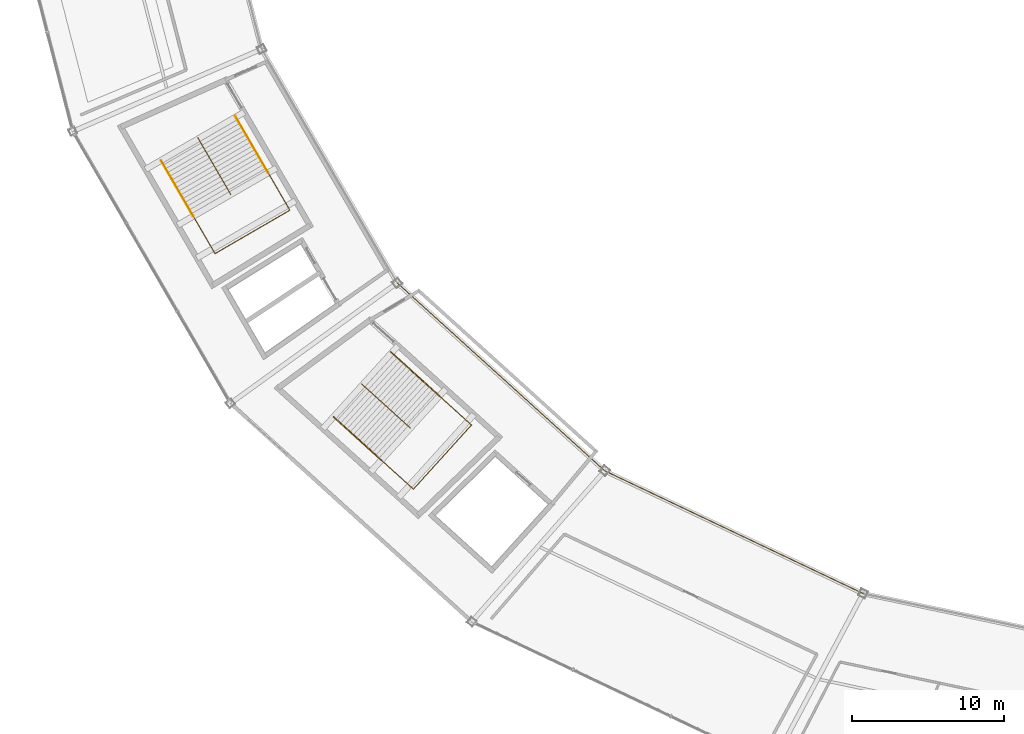
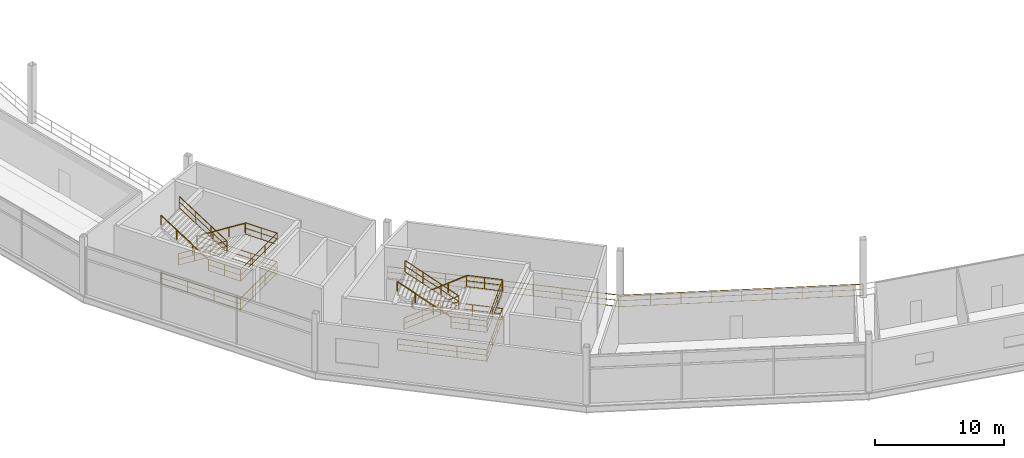
# One storey, part 97 of 103: 12 railings.
"""IFC4 building model written with IfcOpenShell, lengths in metres."""

from ifc_helpers import new_model, si_unit, direction, frame, origin, origin_2d, place, context, subcontext, project, spatial, rectangle, extrude, material, type_object, element, save


model = new_model("IFC4")

# Units and contexts
model_context = context("Model", 3, precision=1e-05, world=origin(), true_north=direction((0.0, 1.0)))
body_context = subcontext(model_context, "Body", "Model", "MODEL_VIEW")
ifc_project = project(units=[si_unit("LENGTHUNIT", "METRE"), si_unit("AREAUNIT", "SQUARE_METRE"), si_unit("VOLUMEUNIT", "CUBIC_METRE"), si_unit("PLANEANGLEUNIT", "RADIAN"), si_unit("MASSUNIT", "GRAM", prefix="KILO")], contexts=[model_context])

# Site, building, storey
site_placement = place(None, origin())
site = spatial("IfcSite", under=ifc_project, at=site_placement, CompositionType="ELEMENT")
building_placement = place(site_placement, origin())
building = spatial("IfcBuilding", under=site, at=building_placement, Name="Kazemori Nagisa Stadium", CompositionType="ELEMENT")
storey_placement = place(building_placement, frame((0.0, 0.0, 25.840087890625)))
storey = spatial("IfcBuildingStorey", under=building, at=storey_placement, Name="L05", CompositionType="ELEMENT", Elevation=25.840087890625)

# Railings
ifc_material_1 = material(Name="Laminated safety glass and stainless steel SUS304", Category="steel")
railing_type_1 = type_object("IfcRailingType", Name="Rail_BAL", PredefinedType="BALUSTRADE", material=ifc_material_1)
railing_1_placement = place(storey_placement, frame((55.493896484375, 53.265869140625, 0.0)))
element("IfcRailing", 1, at=railing_1_placement, inside=storey, type_object=railing_type_1, Name="Upper concourse balustrade L05-B18", PredefinedType="BALUSTRADE", context=body_context, shape_type="SweptSolid", body=[
    extrude(rectangle(XDim=0.050048828125, YDim=0.050048828125, at=origin_2d()), frame((0.0, 0.0, 1.09521484375), z_axis=(0.741349142139, -0.671119549298, 0.0), x_axis=(0.671119549298, 0.741349142139, 0.0)), (0.0, 0.0, 1.0), 18.44189453125),
    extrude(rectangle(XDim=0.03759765625, YDim=0.03759765625, at=origin_2d()), frame((0.0, 0.0, 0.58251953125), z_axis=(0.741349142139, -0.671119549298, 0.0), x_axis=(0.671119549298, 0.741349142139, 0.0)), (0.0, 0.0, 1.0), 18.44189453125),
    extrude(rectangle(XDim=0.03759765625, YDim=0.03759765625, at=origin_2d()), frame((0.0, 0.0, 0.02490234375), z_axis=(0.741349142139, -0.671119549298, 0.0), x_axis=(0.671119549298, 0.741349142139, 0.0)), (0.0, 0.0, 1.0), 18.44189453125),
    extrude(rectangle(XDim=0.044921875, YDim=0.044921875, at=origin_2d()), origin(), (0.0, 0.0, 1.0), 1.070068359375),
    extrude(rectangle(XDim=0.044921875, YDim=0.044921875, at=origin_2d()), frame((1.708984375, -1.547119140625, 0.0)), (0.0, 0.0, 1.0), 1.070068359375),
    extrude(rectangle(XDim=0.044921875, YDim=0.044921875, at=origin_2d()), frame((3.41796875, -3.09423828125, 0.0)), (0.0, 0.0, 1.0), 1.070068359375),
    extrude(rectangle(XDim=0.044921875, YDim=0.044921875, at=origin_2d()), frame((5.126953125, -4.641357421875, 0.0)), (0.0, 0.0, 1.0), 1.070068359375),
    extrude(rectangle(XDim=0.044921875, YDim=0.044921875, at=origin_2d()), frame((6.8359375, -6.1884765625, 0.0)), (0.0, 0.0, 1.0), 1.070068359375),
    extrude(rectangle(XDim=0.044921875, YDim=0.044921875, at=origin_2d()), frame((8.544921875, -7.7353515625, 0.0)), (0.0, 0.0, 1.0), 1.070068359375),
    extrude(rectangle(XDim=0.044921875, YDim=0.044921875, at=origin_2d()), frame((10.25390625, -9.282470703125, 0.0)), (0.0, 0.0, 1.0), 1.070068359375),
    extrude(rectangle(XDim=0.044921875, YDim=0.044921875, at=origin_2d()), frame((11.962890625, -10.82958984375, 0.0)), (0.0, 0.0, 1.0), 1.070068359375),
    extrude(rectangle(XDim=0.044921875, YDim=0.044921875, at=origin_2d()), frame((13.671875, -12.376708984375, 0.0)), (0.0, 0.0, 1.0), 1.070068359375),
])
railing_2_placement = place(storey_placement, frame((69.165771484375, 40.88916015625, 0.0)))
element("IfcRailing", 2, at=railing_2_placement, inside=storey, type_object=railing_type_1, Name="Upper concourse balustrade L05-B19", PredefinedType="BALUSTRADE", context=body_context, shape_type="SweptSolid", body=[
    extrude(rectangle(XDim=0.050048828125, YDim=0.050048828125, at=origin_2d()), frame((0.0, 0.0, 1.09521484375), z_axis=(0.90321938295, -0.42917915404, 0.0), x_axis=(0.42917915404, 0.90321938295, 0.0)), (0.0, 0.0, 1.0), 18.84619140625),
    extrude(rectangle(XDim=0.03759765625, YDim=0.03759765625, at=origin_2d()), frame((0.0, 0.0, 0.58251953125), z_axis=(0.90321938295, -0.42917915404, 0.0), x_axis=(0.42917915404, 0.90321938295, 0.0)), (0.0, 0.0, 1.0), 18.84619140625),
    extrude(rectangle(XDim=0.03759765625, YDim=0.03759765625, at=origin_2d()), frame((0.0, 0.0, 0.02490234375), z_axis=(0.90321938295, -0.42917915404, 0.0), x_axis=(0.42917915404, 0.90321938295, 0.0)), (0.0, 0.0, 1.0), 18.84619140625),
    extrude(rectangle(XDim=0.044921875, YDim=0.044921875, at=origin_2d()), origin(), (0.0, 0.0, 1.0), 1.070068359375),
    extrude(rectangle(XDim=0.044921875, YDim=0.044921875, at=origin_2d()), frame((2.127685546875, -1.010986328125, 0.0)), (0.0, 0.0, 1.0), 1.070068359375),
    extrude(rectangle(XDim=0.044921875, YDim=0.044921875, at=origin_2d()), frame((4.255615234375, -2.02197265625, 0.0)), (0.0, 0.0, 1.0), 1.070068359375),
    extrude(rectangle(XDim=0.044921875, YDim=0.044921875, at=origin_2d()), frame((6.38330078125, -3.033203125, 0.0)), (0.0, 0.0, 1.0), 1.070068359375),
    extrude(rectangle(XDim=0.044921875, YDim=0.044921875, at=origin_2d()), frame((8.51123046875, -4.044189453125, 0.0)), (0.0, 0.0, 1.0), 1.070068359375),
    extrude(rectangle(XDim=0.044921875, YDim=0.044921875, at=origin_2d()), frame((10.638916015625, -5.05517578125, 0.0)), (0.0, 0.0, 1.0), 1.070068359375),
    extrude(rectangle(XDim=0.044921875, YDim=0.044921875, at=origin_2d()), frame((12.7666015625, -6.06640625, 0.0)), (0.0, 0.0, 1.0), 1.070068359375),
    extrude(rectangle(XDim=0.044921875, YDim=0.044921875, at=origin_2d()), frame((14.89453125, -7.077392578125, 0.0)), (0.0, 0.0, 1.0), 1.070068359375),
    extrude(rectangle(XDim=0.044921875, YDim=0.044921875, at=origin_2d()), frame((17.022216796875, -8.08837890625, 0.0)), (0.0, 0.0, 1.0), 1.070068359375),
])
ifc_material_2 = material(Name="Galvanised powder-coated steel", Category="steel")
railing_type_2 = type_object("IfcRailingType", Name="Rail_GUARD", PredefinedType="GUARDRAIL", material=ifc_material_2)
railing_3_placement = place(storey_placement, frame((44.858642578125, 64.196044921875, 0.0)))
element("IfcRailing", 3, at=railing_3_placement, inside=storey, type_object=railing_type_2, Name="Stair well perimeter guard ST09-L05", PredefinedType="GUARDRAIL", context=body_context, shape_type="SweptSolid", body=[
    extrude(rectangle(XDim=0.050048828125, YDim=0.050048828125, at=origin_2d()), frame((0.0, 0.0, 1.09521484375), z_axis=(0.501595007813, -0.865102565097, 0.0), x_axis=(0.865102565097, 0.501595007813, 0.0)), (0.0, 0.0, 1.0), 7.094970703125),
    extrude(rectangle(XDim=0.03759765625, YDim=0.03759765625, at=origin_2d()), frame((0.0, 0.0, 0.58251953125), z_axis=(0.501595007813, -0.865102565097, 0.0), x_axis=(0.865102565097, 0.501595007813, 0.0)), (0.0, 0.0, 1.0), 7.094970703125),
    extrude(rectangle(XDim=0.03759765625, YDim=0.03759765625, at=origin_2d()), frame((0.0, 0.0, 0.02490234375), z_axis=(0.501595007813, -0.865102565097, 0.0), x_axis=(0.865102565097, 0.501595007813, 0.0)), (0.0, 0.0, 1.0), 7.094970703125),
    extrude(rectangle(XDim=0.050048828125, YDim=0.050048828125, at=origin_2d()), frame((3.558837890625, -6.137939453125, 1.09521484375), z_axis=(-0.865091784601, -0.501613600508, 0.0), x_axis=(0.501613600508, -0.865091784601, 0.0)), (0.0, 0.0, 1.0), 5.699951171875),
    extrude(rectangle(XDim=0.03759765625, YDim=0.03759765625, at=origin_2d()), frame((3.558837890625, -6.137939453125, 0.58251953125), z_axis=(-0.865091784601, -0.501613600508, 0.0), x_axis=(0.501613600508, -0.865091784601, 0.0)), (0.0, 0.0, 1.0), 5.699951171875),
    extrude(rectangle(XDim=0.03759765625, YDim=0.03759765625, at=origin_2d()), frame((3.558837890625, -6.137939453125, 0.02490234375), z_axis=(-0.865091784601, -0.501613600508, 0.0), x_axis=(0.501613600508, -0.865091784601, 0.0)), (0.0, 0.0, 1.0), 5.699951171875),
    extrude(rectangle(XDim=0.050048828125, YDim=0.050048828125, at=origin_2d()), frame((-1.3720703125, -8.9970703125, 1.09521484375), z_axis=(-0.501635691901, 0.865078974783, 0.0), x_axis=(-0.865078974783, -0.501635691901, 0.0)), (0.0, 0.0, 1.0), 7.094970703125),
    extrude(rectangle(XDim=0.03759765625, YDim=0.03759765625, at=origin_2d()), frame((-1.3720703125, -8.9970703125, 0.58251953125), z_axis=(-0.501635691901, 0.865078974783, 0.0), x_axis=(-0.865078974783, -0.501635691901, 0.0)), (0.0, 0.0, 1.0), 7.094970703125),
    extrude(rectangle(XDim=0.03759765625, YDim=0.03759765625, at=origin_2d()), frame((-1.3720703125, -8.9970703125, 0.02490234375), z_axis=(-0.501635691901, 0.865078974783, 0.0), x_axis=(-0.865078974783, -0.501635691901, 0.0)), (0.0, 0.0, 1.0), 7.094970703125),
    extrude(rectangle(XDim=0.044921875, YDim=0.044921875, at=origin_2d()), origin(), (0.0, 0.0, 1.0), 1.070068359375),
    extrude(rectangle(XDim=0.044921875, YDim=0.044921875, at=origin_2d()), frame((1.186279296875, -2.0458984375, 0.0)), (0.0, 0.0, 1.0), 1.070068359375),
    extrude(rectangle(XDim=0.044921875, YDim=0.044921875, at=origin_2d()), frame((2.37255859375, -4.092041015625, 0.0)), (0.0, 0.0, 1.0), 1.070068359375),
    extrude(rectangle(XDim=0.044921875, YDim=0.044921875, at=origin_2d()), frame((3.558837890625, -6.137939453125, 0.0)), (0.0, 0.0, 1.0), 1.070068359375),
    extrude(rectangle(XDim=0.044921875, YDim=0.044921875, at=origin_2d()), frame((1.915283203125, -7.091064453125, 0.0)), (0.0, 0.0, 1.0), 1.070068359375),
    extrude(rectangle(XDim=0.044921875, YDim=0.044921875, at=origin_2d()), frame((0.271484375, -8.0439453125, 0.0)), (0.0, 0.0, 1.0), 1.070068359375),
    extrude(rectangle(XDim=0.044921875, YDim=0.044921875, at=origin_2d()), frame((-1.3720703125, -8.9970703125, 0.0)), (0.0, 0.0, 1.0), 1.070068359375),
    extrude(rectangle(XDim=0.044921875, YDim=0.044921875, at=origin_2d()), frame((-2.558349609375, -6.951171875, 0.0)), (0.0, 0.0, 1.0), 1.070068359375),
    extrude(rectangle(XDim=0.044921875, YDim=0.044921875, at=origin_2d()), frame((-3.744873046875, -4.9052734375, 0.0)), (0.0, 0.0, 1.0), 1.070068359375),
    extrude(rectangle(XDim=0.044921875, YDim=0.044921875, at=origin_2d()), frame((-4.93115234375, -2.859375, 0.0)), (0.0, 0.0, 1.0), 1.070068359375),
])
railing_4_placement = place(storey_placement, frame((42.35302734375, 62.835693359375, 0.0)))
element("IfcRailing", 4, at=railing_4_placement, inside=storey, type_object=railing_type_2, Name="Stair central guard ST09-L05", PredefinedType="GUARDRAIL", context=body_context, shape_type="SweptSolid", body=[
    extrude(rectangle(XDim=0.050048828125, YDim=0.050048828125, at=origin_2d()), frame((0.0, 0.0, 1.09521484375), z_axis=(0.424604455669, -0.732330394732, 0.532356317872), x_axis=(0.865106633618, 0.501587990756, 0.0)), (0.0, 0.0, 1.0), 5.109375),
    extrude(rectangle(XDim=0.03759765625, YDim=0.03759765625, at=origin_2d()), frame((0.0, 0.0, 0.58251953125), z_axis=(0.424604455669, -0.732330394732, 0.532356317872), x_axis=(0.865106633618, 0.501587990756, 0.0)), (0.0, 0.0, 1.0), 5.109375),
    extrude(rectangle(XDim=0.03759765625, YDim=0.03759765625, at=origin_2d()), frame((0.0, 0.0, 0.02490234375), z_axis=(0.424604455669, -0.732330394732, 0.532356317872), x_axis=(0.865106633618, 0.501587990756, 0.0)), (0.0, 0.0, 1.0), 5.109375),
    extrude(rectangle(XDim=0.050048828125, YDim=0.050048828125, at=origin_2d()), frame((2.16943359375, -3.74169921875, 3.81494140625), z_axis=(-0.42235583137, 0.728396745639, 0.53949395979), x_axis=(-0.865090089266, -0.501616524304, 0.0)), (0.0, 0.0, 1.0), 5.041748046875),
    extrude(rectangle(XDim=0.03759765625, YDim=0.03759765625, at=origin_2d()), frame((2.16943359375, -3.74169921875, 3.302490234375), z_axis=(-0.42235583137, 0.728396745639, 0.53949395979), x_axis=(-0.865090089266, -0.501616524304, 0.0)), (0.0, 0.0, 1.0), 5.041748046875),
    extrude(rectangle(XDim=0.03759765625, YDim=0.03759765625, at=origin_2d()), frame((2.16943359375, -3.74169921875, 2.7451171875), z_axis=(-0.42235583137, 0.728396745639, 0.53949395979), x_axis=(-0.865090089266, -0.501616524304, 0.0)), (0.0, 0.0, 1.0), 5.041748046875),
    extrude(rectangle(XDim=0.044921875, YDim=0.044921875, at=origin_2d()), origin(), (0.0, 0.0, 1.0), 1.070068359375),
    extrude(rectangle(XDim=0.044921875, YDim=0.044921875, at=origin_2d()), frame((0.72314453125, -1.247314453125, 0.90673828125)), (0.0, 0.0, 1.0), 1.070068359375),
    extrude(rectangle(XDim=0.044921875, YDim=0.044921875, at=origin_2d()), frame((1.4462890625, -2.494384765625, 1.813232421875)), (0.0, 0.0, 1.0), 1.070068359375),
    extrude(rectangle(XDim=0.044921875, YDim=0.044921875, at=origin_2d()), frame((2.16943359375, -3.74169921875, 2.719970703125)), (0.0, 0.0, 1.0), 1.070068359375),
    extrude(rectangle(XDim=0.044921875, YDim=0.044921875, at=origin_2d()), frame((1.459716796875, -2.517578125, 3.626708984375)), (0.0, 0.0, 1.0), 1.070068359375),
    extrude(rectangle(XDim=0.044921875, YDim=0.044921875, at=origin_2d()), frame((0.749755859375, -1.29345703125, 4.533203125)), (0.0, 0.0, 1.0), 1.070068359375),
    extrude(rectangle(XDim=0.044921875, YDim=0.044921875, at=origin_2d()), frame((0.0400390625, -0.0693359375, 5.43994140625)), (0.0, 0.0, 1.0), 1.070068359375),
])
railing_5_placement = place(storey_placement, frame((46.988037109375, 60.523681640625, 2.719970703125)))
element("IfcRailing", 5, at=railing_5_placement, inside=storey, type_object=railing_type_2, Name="Stair landing guard ST09-L05", PredefinedType="GUARDRAIL", context=body_context, shape_type="SweptSolid", body=[
    extrude(rectangle(XDim=0.050048828125, YDim=0.050048828125, at=origin_2d()), frame((0.0, 0.0, 1.09521484375), z_axis=(0.501562958255, -0.865121146954, 0.0), x_axis=(0.865121146954, 0.501562958255, 0.0)), (0.0, 0.0, 1.0), 2.85009765625),
    extrude(rectangle(XDim=0.03759765625, YDim=0.03759765625, at=origin_2d()), frame((0.0, 0.0, 0.58251953125), z_axis=(0.501562958255, -0.865121146954, 0.0), x_axis=(0.865121146954, 0.501562958255, 0.0)), (0.0, 0.0, 1.0), 2.85009765625),
    extrude(rectangle(XDim=0.03759765625, YDim=0.03759765625, at=origin_2d()), frame((0.0, 0.0, 0.02490234375), z_axis=(0.501562958255, -0.865121146954, 0.0), x_axis=(0.865121146954, 0.501562958255, 0.0)), (0.0, 0.0, 1.0), 2.85009765625),
    extrude(rectangle(XDim=0.050048828125, YDim=0.050048828125, at=origin_2d()), frame((1.429443359375, -2.465576171875, 1.09521484375), z_axis=(-0.865091784601, -0.501613600508, 0.0), x_axis=(0.501613600508, -0.865091784601, 0.0)), (0.0, 0.0, 1.0), 5.699951171875),
    extrude(rectangle(XDim=0.03759765625, YDim=0.03759765625, at=origin_2d()), frame((1.429443359375, -2.465576171875, 0.58251953125), z_axis=(-0.865091784601, -0.501613600508, 0.0), x_axis=(0.501613600508, -0.865091784601, 0.0)), (0.0, 0.0, 1.0), 5.699951171875),
    extrude(rectangle(XDim=0.03759765625, YDim=0.03759765625, at=origin_2d()), frame((1.429443359375, -2.465576171875, 0.02490234375), z_axis=(-0.865091784601, -0.501613600508, 0.0), x_axis=(0.501613600508, -0.865091784601, 0.0)), (0.0, 0.0, 1.0), 5.699951171875),
    extrude(rectangle(XDim=0.050048828125, YDim=0.050048828125, at=origin_2d()), frame((-3.50146484375, -5.32470703125, 1.09521484375), z_axis=(-0.501627068055, 0.865083975458, 0.0), x_axis=(-0.865083975458, -0.501627068055, 0.0)), (0.0, 0.0, 1.0), 2.85009765625),
    extrude(rectangle(XDim=0.03759765625, YDim=0.03759765625, at=origin_2d()), frame((-3.50146484375, -5.32470703125, 0.58251953125), z_axis=(-0.501627068055, 0.865083975458, 0.0), x_axis=(-0.865083975458, -0.501627068055, 0.0)), (0.0, 0.0, 1.0), 2.85009765625),
    extrude(rectangle(XDim=0.03759765625, YDim=0.03759765625, at=origin_2d()), frame((-3.50146484375, -5.32470703125, 0.02490234375), z_axis=(-0.501627068055, 0.865083975458, 0.0), x_axis=(-0.865083975458, -0.501627068055, 0.0)), (0.0, 0.0, 1.0), 2.85009765625),
    extrude(rectangle(XDim=0.044921875, YDim=0.044921875, at=origin_2d()), origin(), (0.0, 0.0, 1.0), 1.070068359375),
    extrude(rectangle(XDim=0.044921875, YDim=0.044921875, at=origin_2d()), frame((0.71484375, -1.23291015625, 0.0)), (0.0, 0.0, 1.0), 1.070068359375),
    extrude(rectangle(XDim=0.044921875, YDim=0.044921875, at=origin_2d()), frame((1.429443359375, -2.465576171875, 0.0)), (0.0, 0.0, 1.0), 1.070068359375),
    extrude(rectangle(XDim=0.044921875, YDim=0.044921875, at=origin_2d()), frame((-0.214111328125, -3.418701171875, 0.0)), (0.0, 0.0, 1.0), 1.070068359375),
    extrude(rectangle(XDim=0.044921875, YDim=0.044921875, at=origin_2d()), frame((-1.85791015625, -4.37158203125, 0.0)), (0.0, 0.0, 1.0), 1.070068359375),
    extrude(rectangle(XDim=0.044921875, YDim=0.044921875, at=origin_2d()), frame((-3.50146484375, -5.32470703125, 0.0)), (0.0, 0.0, 1.0), 1.070068359375),
    extrude(rectangle(XDim=0.044921875, YDim=0.044921875, at=origin_2d()), frame((-4.21630859375, -4.091796875, 0.0)), (0.0, 0.0, 1.0), 1.070068359375),
    extrude(rectangle(XDim=0.044921875, YDim=0.044921875, at=origin_2d()), frame((-4.93115234375, -2.859130859375, 0.0)), (0.0, 0.0, 1.0), 1.070068359375),
])
railing_6_placement = place(storey_placement, frame((55.12353515625, 48.665771484375, 0.0)))
element("IfcRailing", 6, at=railing_6_placement, inside=storey, type_object=railing_type_2, Name="Stair well perimeter guard ST03-L05", PredefinedType="GUARDRAIL", context=body_context, shape_type="SweptSolid", body=[
    extrude(rectangle(XDim=0.050048828125, YDim=0.050048828125, at=origin_2d()), frame((0.0, 0.0, 1.09521484375), z_axis=(0.741349073354, -0.671119625281, 0.0), x_axis=(0.671119625281, 0.741349073354, 0.0)), (0.0, 0.0, 1.0), 7.09521484375),
    extrude(rectangle(XDim=0.03759765625, YDim=0.03759765625, at=origin_2d()), frame((0.0, 0.0, 0.58251953125), z_axis=(0.741349073354, -0.671119625281, 0.0), x_axis=(0.671119625281, 0.741349073354, 0.0)), (0.0, 0.0, 1.0), 7.09521484375),
    extrude(rectangle(XDim=0.03759765625, YDim=0.03759765625, at=origin_2d()), frame((0.0, 0.0, 0.02490234375), z_axis=(0.741349073354, -0.671119625281, 0.0), x_axis=(0.671119625281, 0.741349073354, 0.0)), (0.0, 0.0, 1.0), 7.09521484375),
    extrude(rectangle(XDim=0.050048828125, YDim=0.050048828125, at=origin_2d()), frame((5.260009765625, -4.76171875, 1.09521484375), z_axis=(-0.67113423669, -0.74133584585, 0.0), x_axis=(0.74133584585, -0.67113423669, 0.0)), (0.0, 0.0, 1.0), 5.699951171875),
    extrude(rectangle(XDim=0.03759765625, YDim=0.03759765625, at=origin_2d()), frame((5.260009765625, -4.76171875, 0.58251953125), z_axis=(-0.67113423669, -0.74133584585, 0.0), x_axis=(0.74133584585, -0.67113423669, 0.0)), (0.0, 0.0, 1.0), 5.699951171875),
    extrude(rectangle(XDim=0.03759765625, YDim=0.03759765625, at=origin_2d()), frame((5.260009765625, -4.76171875, 0.02490234375), z_axis=(-0.67113423669, -0.74133584585, 0.0), x_axis=(0.74133584585, -0.67113423669, 0.0)), (0.0, 0.0, 1.0), 5.699951171875),
    extrude(rectangle(XDim=0.050048828125, YDim=0.050048828125, at=origin_2d()), frame((1.4345703125, -8.9873046875, 1.09521484375), z_axis=(-0.741350695223, 0.671117833686, 0.0), x_axis=(-0.671117833686, -0.741350695223, 0.0)), (0.0, 0.0, 1.0), 7.0947265625),
    extrude(rectangle(XDim=0.03759765625, YDim=0.03759765625, at=origin_2d()), frame((1.4345703125, -8.9873046875, 0.58251953125), z_axis=(-0.741350695223, 0.671117833686, 0.0), x_axis=(-0.671117833686, -0.741350695223, 0.0)), (0.0, 0.0, 1.0), 7.0947265625),
    extrude(rectangle(XDim=0.03759765625, YDim=0.03759765625, at=origin_2d()), frame((1.4345703125, -8.9873046875, 0.02490234375), z_axis=(-0.741350695223, 0.671117833686, 0.0), x_axis=(-0.671117833686, -0.741350695223, 0.0)), (0.0, 0.0, 1.0), 7.0947265625),
    extrude(rectangle(XDim=0.044921875, YDim=0.044921875, at=origin_2d()), origin(), (0.0, 0.0, 1.0), 1.070068359375),
    extrude(rectangle(XDim=0.044921875, YDim=0.044921875, at=origin_2d()), frame((1.75341796875, -1.587158203125, 0.0)), (0.0, 0.0, 1.0), 1.070068359375),
    extrude(rectangle(XDim=0.044921875, YDim=0.044921875, at=origin_2d()), frame((3.506591796875, -3.174560546875, 0.0)), (0.0, 0.0, 1.0), 1.070068359375),
    extrude(rectangle(XDim=0.044921875, YDim=0.044921875, at=origin_2d()), frame((5.260009765625, -4.76171875, 0.0)), (0.0, 0.0, 1.0), 1.070068359375),
    extrude(rectangle(XDim=0.044921875, YDim=0.044921875, at=origin_2d()), frame((3.98486328125, -6.170166015625, 0.0)), (0.0, 0.0, 1.0), 1.070068359375),
    extrude(rectangle(XDim=0.044921875, YDim=0.044921875, at=origin_2d()), frame((2.709716796875, -7.578857421875, 0.0)), (0.0, 0.0, 1.0), 1.070068359375),
    extrude(rectangle(XDim=0.044921875, YDim=0.044921875, at=origin_2d()), frame((1.4345703125, -8.9873046875, 0.0)), (0.0, 0.0, 1.0), 1.070068359375),
    extrude(rectangle(XDim=0.044921875, YDim=0.044921875, at=origin_2d()), frame((-0.318603515625, -7.400146484375, 0.0)), (0.0, 0.0, 1.0), 1.070068359375),
    extrude(rectangle(XDim=0.044921875, YDim=0.044921875, at=origin_2d()), frame((-2.072021484375, -5.81298828125, 0.0)), (0.0, 0.0, 1.0), 1.070068359375),
    extrude(rectangle(XDim=0.044921875, YDim=0.044921875, at=origin_2d()), frame((-3.8251953125, -4.225830078125, 0.0)), (0.0, 0.0, 1.0), 1.070068359375),
])
railing_7_placement = place(storey_placement, frame((53.151611328125, 46.606689453125, 0.0)))
element("IfcRailing", 7, at=railing_7_placement, inside=storey, type_object=railing_type_2, Name="Stair central guard ST03-L05", PredefinedType="GUARDRAIL", context=body_context, shape_type="SweptSolid", body=[
    extrude(rectangle(XDim=0.050048828125, YDim=0.050048828125, at=origin_2d()), frame((0.0, 0.0, 1.09521484375), z_axis=(0.627557777508, -0.568113486393, 0.532370456043), x_axis=(0.67112318634, 0.741345849626, 0.0)), (0.0, 0.0, 1.0), 5.109130859375),
    extrude(rectangle(XDim=0.03759765625, YDim=0.03759765625, at=origin_2d()), frame((0.0, 0.0, 0.58251953125), z_axis=(0.627557777508, -0.568113486393, 0.532370456043), x_axis=(0.67112318634, 0.741345849626, 0.0)), (0.0, 0.0, 1.0), 5.109130859375),
    extrude(rectangle(XDim=0.03759765625, YDim=0.03759765625, at=origin_2d()), frame((0.0, 0.0, 0.02490234375), z_axis=(0.627557777508, -0.568113486393, 0.532370456043), x_axis=(0.67112318634, 0.741345849626, 0.0)), (0.0, 0.0, 1.0), 5.109130859375),
    extrude(rectangle(XDim=0.050048828125, YDim=0.050048828125, at=origin_2d()), frame((3.206298828125, -2.902587890625, 3.81494140625), z_axis=(-0.624200602078, 0.565073454279, 0.539504957933), x_axis=(-0.671122625547, -0.741346357298, 0.0)), (0.0, 0.0, 1.0), 5.04150390625),
    extrude(rectangle(XDim=0.03759765625, YDim=0.03759765625, at=origin_2d()), frame((3.206298828125, -2.902587890625, 3.302490234375), z_axis=(-0.624200602078, 0.565073454279, 0.539504957933), x_axis=(-0.671122625547, -0.741346357298, 0.0)), (0.0, 0.0, 1.0), 5.04150390625),
    extrude(rectangle(XDim=0.03759765625, YDim=0.03759765625, at=origin_2d()), frame((3.206298828125, -2.902587890625, 2.7451171875), z_axis=(-0.624200602078, 0.565073454279, 0.539504957933), x_axis=(-0.671122625547, -0.741346357298, 0.0)), (0.0, 0.0, 1.0), 5.04150390625),
    extrude(rectangle(XDim=0.044921875, YDim=0.044921875, at=origin_2d()), origin(), (0.0, 0.0, 1.0), 1.070068359375),
    extrude(rectangle(XDim=0.044921875, YDim=0.044921875, at=origin_2d()), frame((1.06884765625, -0.967529296875, 0.90673828125)), (0.0, 0.0, 1.0), 1.070068359375),
    extrude(rectangle(XDim=0.044921875, YDim=0.044921875, at=origin_2d()), frame((2.137451171875, -1.93505859375, 1.813232421875)), (0.0, 0.0, 1.0), 1.070068359375),
    extrude(rectangle(XDim=0.044921875, YDim=0.044921875, at=origin_2d()), frame((3.206298828125, -2.902587890625, 2.719970703125)), (0.0, 0.0, 1.0), 1.070068359375),
    extrude(rectangle(XDim=0.044921875, YDim=0.044921875, at=origin_2d()), frame((2.1572265625, -1.952880859375, 3.626708984375)), (0.0, 0.0, 1.0), 1.070068359375),
    extrude(rectangle(XDim=0.044921875, YDim=0.044921875, at=origin_2d()), frame((1.1083984375, -1.00341796875, 4.533203125)), (0.0, 0.0, 1.0), 1.070068359375),
    extrude(rectangle(XDim=0.044921875, YDim=0.044921875, at=origin_2d()), frame((0.059326171875, -0.0537109375, 5.43994140625)), (0.0, 0.0, 1.0), 1.070068359375),
])
railing_8_placement = place(storey_placement, frame((58.270751953125, 45.81689453125, 2.719970703125)))
element("IfcRailing", 8, at=railing_8_placement, inside=storey, type_object=railing_type_2, Name="Stair landing guard ST03-L05", PredefinedType="GUARDRAIL", context=body_context, shape_type="SweptSolid", body=[
    extrude(rectangle(XDim=0.050048828125, YDim=0.050048828125, at=origin_2d()), frame((0.0, 0.0, 1.09521484375), z_axis=(0.741314535645, -0.671157775223, 0.0), x_axis=(0.671157775223, 0.741314535645, 0.0)), (0.0, 0.0, 1.0), 2.85009765625),
    extrude(rectangle(XDim=0.03759765625, YDim=0.03759765625, at=origin_2d()), frame((0.0, 0.0, 0.58251953125), z_axis=(0.741314535645, -0.671157775223, 0.0), x_axis=(0.671157775223, 0.741314535645, 0.0)), (0.0, 0.0, 1.0), 2.85009765625),
    extrude(rectangle(XDim=0.03759765625, YDim=0.03759765625, at=origin_2d()), frame((0.0, 0.0, 0.02490234375), z_axis=(0.741314535645, -0.671157775223, 0.0), x_axis=(0.671157775223, 0.741314535645, 0.0)), (0.0, 0.0, 1.0), 2.85009765625),
    extrude(rectangle(XDim=0.050048828125, YDim=0.050048828125, at=origin_2d()), frame((2.11279296875, -1.912841796875, 1.09521484375), z_axis=(-0.67113423669, -0.74133584585, 0.0), x_axis=(0.74133584585, -0.67113423669, 0.0)), (0.0, 0.0, 1.0), 5.699951171875),
    extrude(rectangle(XDim=0.03759765625, YDim=0.03759765625, at=origin_2d()), frame((2.11279296875, -1.912841796875, 0.58251953125), z_axis=(-0.67113423669, -0.74133584585, 0.0), x_axis=(0.74133584585, -0.67113423669, 0.0)), (0.0, 0.0, 1.0), 5.699951171875),
    extrude(rectangle(XDim=0.03759765625, YDim=0.03759765625, at=origin_2d()), frame((2.11279296875, -1.912841796875, 0.02490234375), z_axis=(-0.67113423669, -0.74133584585, 0.0), x_axis=(0.74133584585, -0.67113423669, 0.0)), (0.0, 0.0, 1.0), 5.699951171875),
    extrude(rectangle(XDim=0.050048828125, YDim=0.050048828125, at=origin_2d()), frame((-1.712646484375, -6.138427734375, 1.09521484375), z_axis=(-0.741357156534, 0.671110696127, 0.0), x_axis=(-0.671110696127, -0.741357156534, 0.0)), (0.0, 0.0, 1.0), 2.849853515625),
    extrude(rectangle(XDim=0.03759765625, YDim=0.03759765625, at=origin_2d()), frame((-1.712646484375, -6.138427734375, 0.58251953125), z_axis=(-0.741357156534, 0.671110696127, 0.0), x_axis=(-0.671110696127, -0.741357156534, 0.0)), (0.0, 0.0, 1.0), 2.849853515625),
    extrude(rectangle(XDim=0.03759765625, YDim=0.03759765625, at=origin_2d()), frame((-1.712646484375, -6.138427734375, 0.02490234375), z_axis=(-0.741357156534, 0.671110696127, 0.0), x_axis=(-0.671110696127, -0.741357156534, 0.0)), (0.0, 0.0, 1.0), 2.849853515625),
    extrude(rectangle(XDim=0.044921875, YDim=0.044921875, at=origin_2d()), origin(), (0.0, 0.0, 1.0), 1.070068359375),
    extrude(rectangle(XDim=0.044921875, YDim=0.044921875, at=origin_2d()), frame((1.056396484375, -0.95654296875, 0.0)), (0.0, 0.0, 1.0), 1.070068359375),
    extrude(rectangle(XDim=0.044921875, YDim=0.044921875, at=origin_2d()), frame((2.11279296875, -1.912841796875, 0.0)), (0.0, 0.0, 1.0), 1.070068359375),
    extrude(rectangle(XDim=0.044921875, YDim=0.044921875, at=origin_2d()), frame((0.837646484375, -3.3212890625, 0.0)), (0.0, 0.0, 1.0), 1.070068359375),
    extrude(rectangle(XDim=0.044921875, YDim=0.044921875, at=origin_2d()), frame((-0.4375, -4.72998046875, 0.0)), (0.0, 0.0, 1.0), 1.070068359375),
    extrude(rectangle(XDim=0.044921875, YDim=0.044921875, at=origin_2d()), frame((-1.712646484375, -6.138427734375, 0.0)), (0.0, 0.0, 1.0), 1.070068359375),
    extrude(rectangle(XDim=0.044921875, YDim=0.044921875, at=origin_2d()), frame((-2.76904296875, -5.18212890625, 0.0)), (0.0, 0.0, 1.0), 1.070068359375),
    extrude(rectangle(XDim=0.044921875, YDim=0.044921875, at=origin_2d()), frame((-3.825439453125, -4.225830078125, 0.0)), (0.0, 0.0, 1.0), 1.070068359375),
])
ifc_material_3 = material(Name="Stainless steel SUS304", Category="steel")
railing_type_3 = type_object("IfcRailingType", Name="Rail_HAND", PredefinedType="HANDRAIL", material=ifc_material_3)
railing_9_placement = place(storey_placement, frame((44.818359375, 64.26513671875, 0.169921875)))
element("IfcRailing", 9, at=railing_9_placement, inside=storey, type_object=railing_type_3, Name="Stair handrail ST09-L05-F1", PredefinedType="HANDRAIL", context=body_context, shape_type="SweptSolid", body=[
    extrude(rectangle(XDim=0.050048828125, YDim=0.050048828125, at=origin_2d()), frame((0.0, 0.0, 0.875), z_axis=(0.424658482553, -0.732293377419, 0.53236414472), x_axis=(0.865067934841, 0.501654729979, 0.0)), (0.0, 0.0, 1.0), 5.109130859375),
    extrude(rectangle(XDim=0.044921875, YDim=0.044921875, at=origin_2d()), origin(), (0.0, 0.0, 1.0), 0.849853515625),
    extrude(rectangle(XDim=0.044921875, YDim=0.044921875, at=origin_2d()), frame((0.72314453125, -1.2470703125, 0.90673828125)), (0.0, 0.0, 1.0), 0.849853515625),
    extrude(rectangle(XDim=0.044921875, YDim=0.044921875, at=origin_2d()), frame((1.446533203125, -2.494384765625, 1.813232421875)), (0.0, 0.0, 1.0), 0.849853515625),
    extrude(rectangle(XDim=0.044921875, YDim=0.044921875, at=origin_2d()), frame((2.169677734375, -3.741455078125, 2.719970703125)), (0.0, 0.0, 1.0), 0.849853515625),
])
railing_10_placement = place(storey_placement, frame((42.056884765625, 57.66455078125, 2.889892578125)))
element("IfcRailing", 10, at=railing_10_placement, inside=storey, type_object=railing_type_3, Name="Stair handrail ST09-L05-F2", PredefinedType="HANDRAIL", context=body_context, shape_type="SweptSolid", body=[
    extrude(rectangle(XDim=0.050048828125, YDim=0.050048828125, at=origin_2d()), frame((0.0, 0.0, 0.875), z_axis=(-0.422370729009, 0.72837401227, 0.53951298921), x_axis=(-0.865075617156, -0.501641482138, 0.0)), (0.0, 0.0, 1.0), 5.04150390625),
    extrude(rectangle(XDim=0.044921875, YDim=0.044921875, at=origin_2d()), origin(), (0.0, 0.0, 1.0), 0.849853515625),
    extrude(rectangle(XDim=0.044921875, YDim=0.044921875, at=origin_2d()), frame((-0.709716796875, 1.22412109375, 0.90673828125)), (0.0, 0.0, 1.0), 0.849853515625),
    extrude(rectangle(XDim=0.044921875, YDim=0.044921875, at=origin_2d()), frame((-1.419677734375, 2.447998046875, 1.813232421875)), (0.0, 0.0, 1.0), 0.849853515625),
    extrude(rectangle(XDim=0.044921875, YDim=0.044921875, at=origin_2d()), frame((-2.12939453125, 3.672119140625, 2.719970703125)), (0.0, 0.0, 1.0), 0.849853515625),
])
railing_11_placement = place(storey_placement, frame((55.064208984375, 48.719482421875, 0.169921875)))
element("IfcRailing", 11, at=railing_11_placement, inside=storey, type_object=railing_type_3, Name="Stair handrail ST03-L05-F1", PredefinedType="HANDRAIL", context=body_context, shape_type="SweptSolid", body=[
    extrude(rectangle(XDim=0.050048828125, YDim=0.050048828125, at=origin_2d()), frame((0.0, 0.0, 0.875), z_axis=(0.627586741976, -0.568096450081, 0.532354491576), x_axis=(0.671095101672, 0.741371273056, 0.0)), (0.0, 0.0, 1.0), 5.109375),
    extrude(rectangle(XDim=0.044921875, YDim=0.044921875, at=origin_2d()), origin(), (0.0, 0.0, 1.0), 0.849853515625),
    extrude(rectangle(XDim=0.044921875, YDim=0.044921875, at=origin_2d()), frame((1.06884765625, -0.967529296875, 0.90673828125)), (0.0, 0.0, 1.0), 0.849853515625),
    extrude(rectangle(XDim=0.044921875, YDim=0.044921875, at=origin_2d()), frame((2.1376953125, -1.93505859375, 1.813232421875)), (0.0, 0.0, 1.0), 0.849853515625),
    extrude(rectangle(XDim=0.044921875, YDim=0.044921875, at=origin_2d()), frame((3.20654296875, -2.902587890625, 2.719970703125)), (0.0, 0.0, 1.0), 0.849853515625),
])
railing_12_placement = place(storey_placement, frame((54.4453125, 41.591064453125, 2.889892578125)))
element("IfcRailing", 12, at=railing_12_placement, inside=storey, type_object=railing_type_3, Name="Stair handrail ST03-L05-F2", PredefinedType="HANDRAIL", context=body_context, shape_type="SweptSolid", body=[
    extrude(rectangle(XDim=0.050048828125, YDim=0.050048828125, at=origin_2d()), frame((0.0, 0.0, 0.875), z_axis=(-0.624200602078, 0.565073454279, 0.539504957933), x_axis=(-0.671122625547, -0.741346357298, 0.0)), (0.0, 0.0, 1.0), 5.04150390625),
    extrude(rectangle(XDim=0.044921875, YDim=0.044921875, at=origin_2d()), origin(), (0.0, 0.0, 1.0), 0.849853515625),
    extrude(rectangle(XDim=0.044921875, YDim=0.044921875, at=origin_2d()), frame((-1.049072265625, 0.94970703125, 0.90673828125)), (0.0, 0.0, 1.0), 0.849853515625),
    extrude(rectangle(XDim=0.044921875, YDim=0.044921875, at=origin_2d()), frame((-2.097900390625, 1.899169921875, 1.813232421875)), (0.0, 0.0, 1.0), 0.849853515625),
    extrude(rectangle(XDim=0.044921875, YDim=0.044921875, at=origin_2d()), frame((-3.14697265625, 2.848876953125, 2.719970703125)), (0.0, 0.0, 1.0), 0.849853515625),
])

save(model, "model.ifc")
